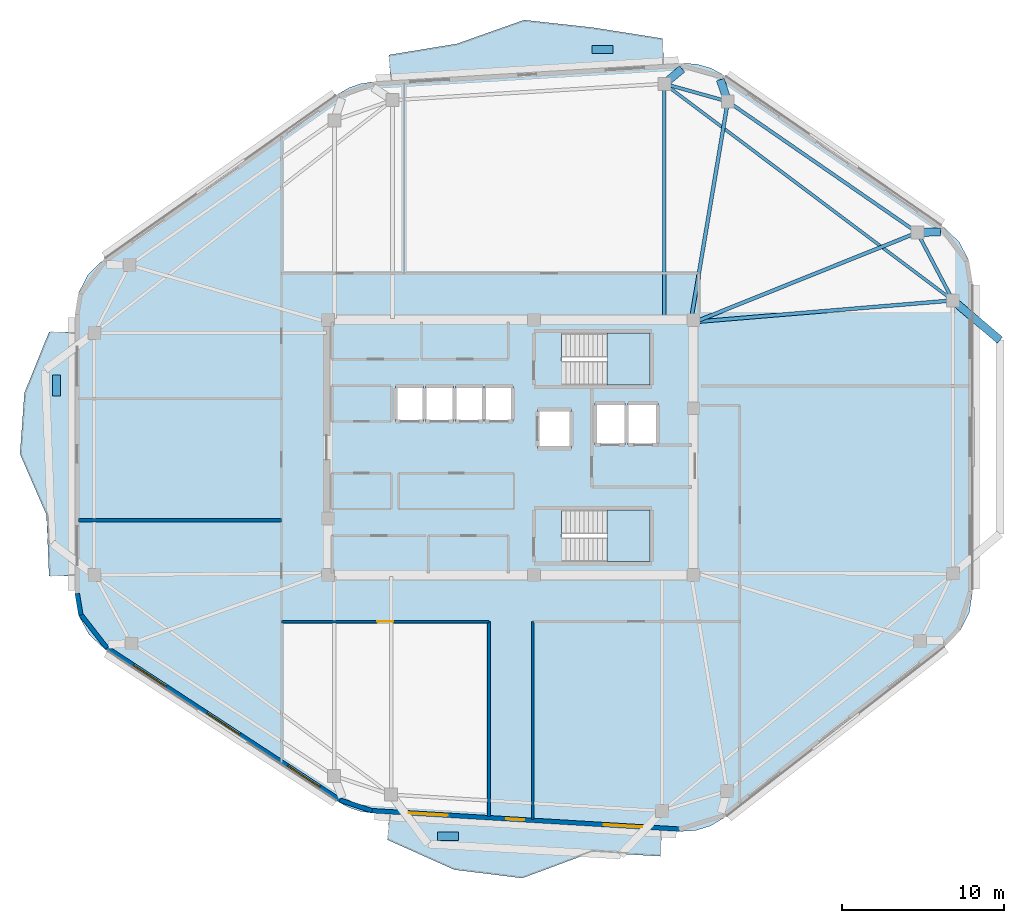
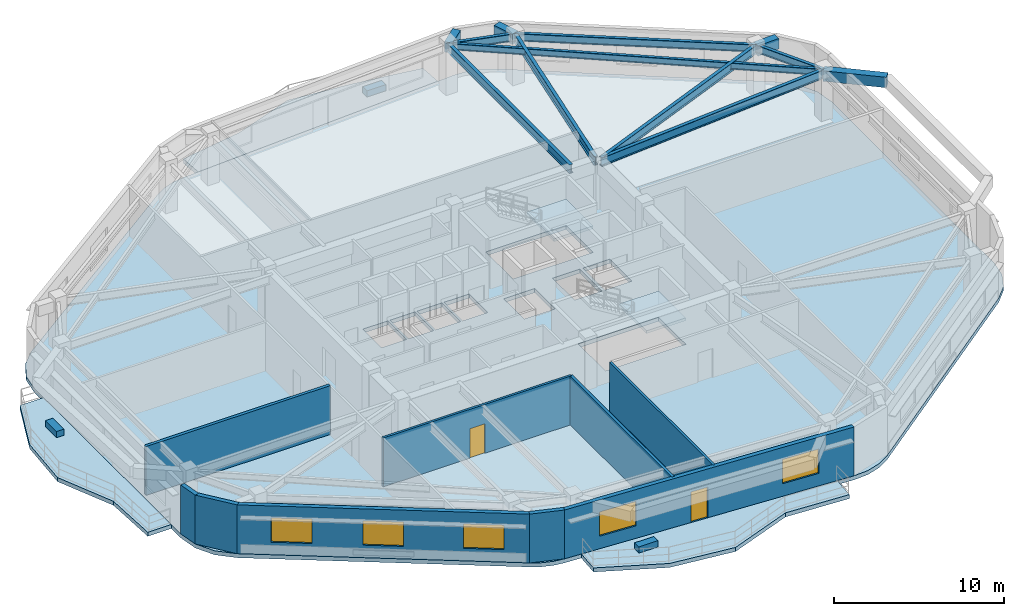
# One storey, part 2 of 9: 12 beams, 9 walls, 6 slabs, 5 windows, 3 plates, 2 doors, 7 openings, 2 elements without a shape of their own.
"""IFC4 building model written with IfcOpenShell, lengths in metres."""

from ifc_helpers import new_model, si_unit, direction, frame, frame_2d, origin, origin_2d, place, context, subcontext, project, spatial, polyline, rectangle, i_section, outline, extrude, material, layer, layer_set, material_profile, profile_set, type_object, element, fill, aggregate, save


model = new_model("IFC4")

# Units and contexts
model_context = context("Model", 3, precision=1e-05, world=origin(), true_north=direction((0.0, 1.0)))
body_context = subcontext(model_context, "Body", "Model", "MODEL_VIEW")
ifc_project = project(units=[si_unit("LENGTHUNIT", "METRE"), si_unit("AREAUNIT", "SQUARE_METRE"), si_unit("VOLUMEUNIT", "CUBIC_METRE"), si_unit("PLANEANGLEUNIT", "RADIAN"), si_unit("MASSUNIT", "GRAM", prefix="KILO")], contexts=[model_context])

# Site, building, storey
site_placement = place(None, origin())
site = spatial("IfcSite", under=ifc_project, at=site_placement, CompositionType="ELEMENT")
building_placement = place(site_placement, origin())
building = spatial("IfcBuilding", under=site, at=building_placement, Name="Zulverin Broadcast Headquarters", CompositionType="ELEMENT")
storey_placement = place(building_placement, frame((0.0, 0.0, 259.199951171875)))
storey = spatial("IfcBuildingStorey", under=building, at=storey_placement, Name="L66", CompositionType="ELEMENT", Elevation=259.199951171875)

# Beams
ifc_material_1 = material(Name="Concrete C40/50", Category="concrete")
ifc_material_profile_1 = material_profile(ifc_material_1, rectangle(XDim=0.5, YDim=0.75, at=origin_2d()), Name="Concrete C40/50", Category="concrete")
ifc_profile_set_1 = profile_set([ifc_material_profile_1], Name="Concrete C40/50")
beam_type_1 = type_object("IfcBeamType", Name="BM-RC-500x750", PredefinedType="BEAM", material=ifc_profile_set_1)
for number, where, z_axis, x_axis, name in (
    (1, (62.102783203125, 38.465087890625, 3.135009765625), (0.99949018153, 0.031927684309, 0.0), (-0.031927684309, 0.99949018153, 0.0), "L67 Plate Overhang Back-Spanned Beam OVR-07"),
    (2, (50.39794921875, 46.554443359375, 3.135009765625), (-0.323542873341, 0.946213511376, 0.0), (-0.946213511376, -0.323542873341, 0.0), "L67 Plate Overhang Back-Spanned Beam OVR-08"),
    (3, (46.4814453125, 47.6484375, 3.135009765625), (0.767058538949, 0.641577117598, 0.0), (-0.641577117598, 0.767058538949, 0.0), "L67 Plate Overhang Back-Spanned Beam OVR-09"),
):
    element("IfcBeam", number, at=place(storey_placement, frame(where, z_axis=z_axis, x_axis=x_axis)), inside=storey, type_object=beam_type_1, Name=name, PredefinedType="BEAM", context=body_context, shape_type="SweptSolid", body=[
        extrude(rectangle(XDim=0.5, YDim=0.75, at=origin_2d()), origin(), (0.0, 0.0, 1.0), 1.429931640625),
    ])
beam_1_placement = place(storey_placement, frame((64.300048828125, 34.275634765625, 3.135009765625), z_axis=(0.763327794612, -0.646011360561, 0.0), x_axis=(0.646011360561, 0.763327794612, 0.0)))
element("IfcBeam", 4, at=beam_1_placement, inside=storey, type_object=beam_type_1, Name="L67 Balcony Column-Framed Cantilever BAL_E-2", PredefinedType="BEAM", context=body_context, shape_type="SweptSolid", body=[
    extrude(rectangle(XDim=0.5, YDim=0.75, at=origin_2d()), origin(), (0.0, 0.0, 1.0), 3.800048828125),
])
ifc_material_2 = material(Name="Structural steel S355JR", Category="steel")
ifc_material_profile_2 = material_profile(ifc_material_2, i_section(OverallWidth=0.19287109375, OverallDepth=0.46728515625, WebThickness=0.011474609375, FlangeThickness=0.01953125, at=origin_2d()), Name="Structural steel S355JR", Category="steel")
ifc_profile_set_2 = profile_set([ifc_material_profile_2], Name="Structural steel S355JR")
beam_type_2 = type_object("IfcBeamType", Name="BM-UB-457", PredefinedType="JOIST", material=ifc_profile_set_2)
beam_2_placement = place(storey_placement, frame((64.300048828125, 34.275634765625, 3.2763671875), z_axis=(-0.799809280949, 0.600254207905, 0.0), x_axis=(-0.600254207905, -0.799809280949, 0.0)))
element("IfcBeam", 5, at=beam_2_placement, inside=storey, type_object=beam_type_2, Name="L66 Chordal Floor Joist J-02", PredefinedType="JOIST", context=body_context, shape_type="SweptSolid", body=[
    extrude(i_section(OverallWidth=0.19287109375, OverallDepth=0.46728515625, WebThickness=0.011474609375, FlangeThickness=0.01953125, at=origin_2d()), origin(), (0.0, 0.0, 1.0), 22.278564453125),
])
ifc_material_profile_3 = material_profile(ifc_material_2, i_section(OverallWidth=0.2119140625, OverallDepth=0.54443359375, WebThickness=0.0126953125, FlangeThickness=0.021240234375, at=origin_2d()), Name="Structural steel S355JR", Category="steel")
ifc_profile_set_3 = profile_set([ifc_material_profile_3], Name="Structural steel S355JR")
beam_type_3 = type_object("IfcBeamType", Name="BM-UB-533", PredefinedType="SPANDREL", material=ifc_profile_set_3)
beam_3_placement = place(storey_placement, frame((64.300048828125, 34.275634765625, 3.23779296875), z_axis=(-0.464469748171, 0.885588986513, 0.0), x_axis=(-0.885588986513, -0.464469748171, 0.0)))
element("IfcBeam", 6, at=beam_3_placement, inside=storey, type_object=beam_type_3, Name="L66 Perimeter Spandrel Beam SP-06", PredefinedType="SPANDREL", context=body_context, shape_type="SweptSolid", body=[
    extrude(i_section(OverallWidth=0.2119140625, OverallDepth=0.54443359375, WebThickness=0.0126953125, FlangeThickness=0.021240234375, at=origin_2d()), origin(), (0.0, 0.0, 1.0), 4.730712890625),
])
beam_4_placement = place(storey_placement, frame((62.102783203125, 38.465087890625, 3.23779296875), z_axis=(-0.822652126292, 0.568545054597, 0.0), x_axis=(-0.568545054597, -0.822652126292, 0.0)))
element("IfcBeam", 7, at=beam_4_placement, inside=storey, type_object=beam_type_3, Name="L66 Perimeter Spandrel Beam SP-07", PredefinedType="SPANDREL", context=body_context, shape_type="SweptSolid", body=[
    extrude(i_section(OverallWidth=0.2119140625, OverallDepth=0.54443359375, WebThickness=0.0126953125, FlangeThickness=0.021240234375, at=origin_2d()), origin(), (0.0, 0.0, 1.0), 14.228271484375),
])
beam_5_placement = place(storey_placement, frame((50.39794921875, 46.554443359375, 3.23779296875), z_axis=(-0.963131566005, 0.26903082828, 0.0), x_axis=(-0.26903082828, -0.963131566005, 0.0)))
element("IfcBeam", 8, at=beam_5_placement, inside=storey, type_object=beam_type_3, Name="L66 Perimeter Spandrel Beam SP-08", PredefinedType="SPANDREL", context=body_context, shape_type="SweptSolid", body=[
    extrude(i_section(OverallWidth=0.2119140625, OverallDepth=0.54443359375, WebThickness=0.0126953125, FlangeThickness=0.021240234375, at=origin_2d()), origin(), (0.0, 0.0, 1.0), 4.06640625),
])
ifc_material_profile_4 = material_profile(ifc_material_2, i_section(OverallWidth=0.230224609375, OverallDepth=0.6171875, WebThickness=0.01318359375, FlangeThickness=0.022216796875, at=origin_2d()), Name="Structural steel S355JR", Category="steel")
ifc_profile_set_4 = profile_set([ifc_material_profile_4], Name="Structural steel S355JR")
beam_type_4 = type_object("IfcBeamType", Name="BM-UB-610", PredefinedType="BEAM", material=ifc_profile_set_4)
beam_6_placement = place(storey_placement, frame((48.375, 32.949951171875, 3.201416015625), z_axis=(0.996553024533, 0.082958238256, 0.0), x_axis=(-0.082958238256, 0.996553024533, 0.0)))
element("IfcBeam", 9, at=beam_6_placement, inside=storey, type_object=beam_type_4, Name="L66 Radial Primary Floor Beam RB-06", PredefinedType="BEAM", context=body_context, shape_type="SweptSolid", body=[
    extrude(i_section(OverallWidth=0.230224609375, OverallDepth=0.6171875, WebThickness=0.01318359375, FlangeThickness=0.022216796875, at=origin_2d()), origin(), (0.0, 0.0, 1.0), 15.980224609375),
])
beam_7_placement = place(storey_placement, frame((48.375, 32.949951171875, 3.201416015625), z_axis=(0.927915690744, 0.37279011638, 0.0), x_axis=(-0.37279011638, 0.927915690744, 0.0)))
element("IfcBeam", 10, at=beam_7_placement, inside=storey, type_object=beam_type_4, Name="L66 Radial Primary Floor Beam RB-07", PredefinedType="BEAM", context=body_context, shape_type="SweptSolid", body=[
    extrude(i_section(OverallWidth=0.230224609375, OverallDepth=0.6171875, WebThickness=0.01318359375, FlangeThickness=0.022216796875, at=origin_2d()), origin(), (0.0, 0.0, 1.0), 14.794189453125),
])
beam_8_placement = place(storey_placement, frame((48.14990234375, 33.175048828125, 3.201416015625), z_axis=(0.165700339104, 0.986176149388, 0.0), x_axis=(-0.986176149388, 0.165700339104, 0.0)))
element("IfcBeam", 11, at=beam_8_placement, inside=storey, type_object=beam_type_4, Name="L66 Radial Primary Floor Beam RB-08", PredefinedType="BEAM", context=body_context, shape_type="SweptSolid", body=[
    extrude(i_section(OverallWidth=0.230224609375, OverallDepth=0.6171875, WebThickness=0.01318359375, FlangeThickness=0.022216796875, at=origin_2d()), origin(), (0.0, 0.0, 1.0), 13.56689453125),
])
beam_9_placement = place(storey_placement, frame((46.4814453125, 33.175048828125, 3.201416015625), z_axis=(0.0, 1.0, 0.0), x_axis=(-1.0, 0.0, 0.0)))
element("IfcBeam", 12, at=beam_9_placement, inside=storey, type_object=beam_type_4, Name="L66 Radial Primary Floor Beam RB-09", PredefinedType="BEAM", context=body_context, shape_type="SweptSolid", body=[
    extrude(i_section(OverallWidth=0.230224609375, OverallDepth=0.6171875, WebThickness=0.01318359375, FlangeThickness=0.022216796875, at=origin_2d()), origin(), (0.0, 0.0, 1.0), 14.473388671875),
])

# Plates
ifc_material_3 = material(Name="Precast concrete C45/55", Category="concrete")
ifc_layer_1 = layer(ifc_material_3, 0.449951171875, Name="Precast concrete C45/55", Category="concrete")
ifc_layer_set_1 = layer_set([ifc_layer_1], Name="Precast concrete C45/55")
plate_type = type_object("IfcPlateType", Name="PT-01_PRECAST_GFRC_TREE_PLANTER", PredefinedType="USERDEFINED", material=ifc_layer_set_1)
for number, where, z_axis, x_axis, name in (
    (13, (42.6767578125, 49.7744140625, -0.0048828125), (0.0, 0.0, 1.0), (1.0, 0.0, 0.0), "L66 Precast GFRC Tree Planter BAL_N"),
    (14, (8.949951171875, 29.0126953125, -0.0048828125), (0.0, 0.0, 1.0), (0.0, 1.0, 0.0), "L66 Precast GFRC Tree Planter BAL_W"),
    (15, (33.1337890625, 1.19873046875, -0.0048828125), (0.0, 0.0, 1.0), (1.0, 0.0, 0.0), "L66 Precast GFRC Tree Planter BAL_S"),
):
    element("IfcPlate", number, at=place(storey_placement, frame(where, z_axis=z_axis, x_axis=x_axis)), inside=storey, type_object=plate_type, Name=name, ObjectType="PLANTER", PredefinedType="USERDEFINED", context=body_context, shape_type="SweptSolid", body=[
        extrude(rectangle(XDim=1.300048828125, YDim=0.5, at=origin_2d()), origin(), (0.0, 0.0, 1.0), 0.449951171875),
    ])

# Slabs
ifc_layer_2 = layer(ifc_material_1, 0.2900390625, Name="Concrete C40/50", Category="concrete")
ifc_layer_set_2 = layer_set([ifc_layer_2], Name="Concrete C40/50")
slab_type_1 = type_object("IfcSlabType", Name="SLB-BAL-290", PredefinedType="FLOOR", material=ifc_layer_set_2)
slab_1_placement = place(storey_placement, frame((0.0, 0.0, -0.2900390625)))
element("IfcSlab", 16, at=slab_1_placement, inside=storey, type_object=slab_type_1, Name="L66 Cantilevered Planted Balcony Slab BAL_N", PredefinedType="FLOOR", context=body_context, shape_type="SweptSolid", body=[
    extrude(outline(polyline([(29.5791015625, 47.835693359375), (46.45947265625, 48.849365234375), (46.363525390625, 50.4462890625), (42.087890625, 51.118896484375), (37.824462890625, 51.58740234375), (33.677001953125, 50.1201171875), (29.483154296875, 49.43310546875), (29.5791015625, 47.835693359375)])), origin(), (0.0, 0.0, 1.0), 0.2900390625),
])
slab_2_placement = place(storey_placement, frame((0.0, 0.0, -0.2900390625)))
element("IfcSlab", 17, at=slab_2_placement, inside=storey, type_object=slab_type_1, Name="L66 Cantilevered Planted Balcony Slab BAL_W", PredefinedType="FLOOR", context=body_context, shape_type="SweptSolid", body=[
    extrude(outline(polyline([(10.10009765625, 17.2685546875), (10.10009765625, 32.3251953125), (8.5, 32.3251953125), (6.977783203125, 28.56103515625), (6.705322265625, 24.797119140625), (8.340576171875, 21.03271484375), (8.5, 17.2685546875), (10.10009765625, 17.2685546875)])), origin(), (0.0, 0.0, 1.0), 0.2900390625),
])
slab_3_placement = place(storey_placement, frame((0.0, 0.0, -0.2900390625)))
element("IfcSlab", 18, at=slab_3_placement, inside=storey, type_object=slab_type_1, Name="L66 Cantilevered Planted Balcony Slab BAL_S", PredefinedType="FLOOR", context=body_context, shape_type="SweptSolid", body=[
    extrude(outline(polyline([(46.32958984375, 1.55859375), (29.500244140625, 2.56884765625), (29.404296875, 0.9716796875), (33.516357421875, -0.8681640625), (37.707763671875, -1.388671875), (42.0263671875, 0.214111328125), (46.233642578125, -0.03857421875), (46.32958984375, 1.55859375)])), origin(), (0.0, 0.0, 1.0), 0.2900390625),
])

# Stair, slab
stair_type = type_object("IfcStairType", Name="ST-CORE-1500", PredefinedType="HALF_TURN_STAIR", material=ifc_material_1)
stair_1_placement = place(storey_placement, origin())
stair_1 = element("IfcStair", 19, at=stair_1_placement, inside=storey, type_object=stair_type, Name="L66 Core Exit Stair ST-1", PredefinedType="HALF_TURN_STAIR")
ifc_layer_3 = layer(ifc_material_1, 0.199951171875, Name="Concrete C40/50", Category="concrete")
ifc_layer_set_3 = layer_set([ifc_layer_3], Name="Concrete C40/50")
slab_type_2 = type_object("IfcSlabType", Name="SLB-ST-LND200", PredefinedType="LANDING", material=ifc_layer_set_3)
slab_4_placement = place(storey_placement, frame((0.0, 0.0, 1.699951171875)))
slab_4 = element("IfcSlab", 20, at=slab_4_placement, type_object=slab_type_2, Name="ST-1 landing 1", PredefinedType="LANDING", context=body_context, shape_type="SweptSolid", body=[
    extrude(outline(polyline([(42.929931640625, 29.050048828125), (45.60009765625, 29.050048828125), (45.60009765625, 32.25), (42.929931640625, 32.25), (42.929931640625, 29.050048828125)])), origin(), (0.0, 0.0, 1.0), 0.2001953125),
])
aggregate(stair_1, [slab_4])

stair_2_placement = place(storey_placement, origin())
stair_2 = element("IfcStair", 21, at=stair_2_placement, inside=storey, type_object=stair_type, Name="L66 Core Exit Stair ST-2", PredefinedType="HALF_TURN_STAIR")
slab_5_placement = place(storey_placement, frame((0.0, 0.0, 1.699951171875)))
slab_5 = element("IfcSlab", 22, at=slab_5_placement, type_object=slab_type_2, Name="ST-2 landing 1", PredefinedType="LANDING", context=body_context, shape_type="SweptSolid", body=[
    extrude(outline(polyline([(42.929931640625, 18.14990234375), (45.60009765625, 18.14990234375), (45.60009765625, 21.35009765625), (42.929931640625, 21.35009765625), (42.929931640625, 18.14990234375)])), origin(), (0.0, 0.0, 1.0), 0.2001953125),
])
aggregate(stair_2, [slab_5])

# Slab
ifc_layer_4 = layer(ifc_material_1, 0.2900390625, Name="Concrete C40/50", Category="concrete")
ifc_layer_set_4 = layer_set([ifc_layer_4], Name="Concrete C40/50")
slab_type_3 = type_object("IfcSlabType", Name="SLB-TWR-290", PredefinedType="FLOOR", material=ifc_layer_set_4)
slab_6_placement = place(storey_placement, frame((0.0, 0.0, -0.2900390625)))
element("IfcSlab", 23, at=slab_6_placement, inside=storey, type_object=slab_type_3, Name="L66 Main Structural Floor Slab", PredefinedType="FLOOR", context=body_context, shape_type="SweptSolid", body=[
    extrude(outline(polyline([(26.405029296875, 3.295166015625), (27.029296875, 2.96044921875), (27.70166015625, 2.738037109375), (28.402099609375, 2.634765625), (47.427490234375, 1.49267578125), (48.40869140625, 1.5517578125), (49.347412109375, 1.842529296875), (50.18994140625, 2.348388671875), (63.91650390625, 13.02099609375), (64.7685546875, 13.92041015625), (65.312744140625, 15.033203125), (65.5, 16.2578125), (65.5, 35.42578125), (65.289306640625, 36.723388671875), (64.6787109375, 37.887451171875), (63.73095703125, 38.798583984375), (50.13427734375, 48.1953125), (49.3359375, 48.625244140625), (48.462890625, 48.869140625), (47.557373046875, 48.915283203125), (28.48095703125, 47.77001953125), (27.73291015625, 47.655029296875), (27.0185546875, 47.404541015625), (26.362548828125, 47.027099609375), (11.8359375, 36.775146484375), (10.9052734375, 35.865478515625), (10.306396484375, 34.710205078125), (10.10009765625, 33.42529296875), (10.10009765625, 16.168701171875), (10.322021484375, 14.83740234375), (10.96435546875, 13.650390625), (11.957275390625, 12.736328125), (26.405029296875, 3.295166015625)]), holes=[polyline([(40.155029296875, 30.75), (40.130126953125, 30.75), (40.130126953125, 32.25), (45.60009765625, 32.25), (45.60009765625, 29.050048828125), (40.155029296875, 29.050048828125), (40.155029296875, 30.75)]), polyline([(40.155029296875, 19.85009765625), (40.130126953125, 19.85009765625), (40.130126953125, 21.35009765625), (45.60009765625, 21.35009765625), (45.60009765625, 18.14990234375), (40.155029296875, 18.14990234375), (40.155029296875, 19.85009765625)]), polyline([(29.89990234375, 26.800048828125), (31.6201171875, 26.800048828125), (31.6201171875, 29.0), (29.89990234375, 29.0), (29.89990234375, 26.800048828125)]), polyline([(31.739990234375, 26.800048828125), (33.4599609375, 26.800048828125), (33.4599609375, 29.0), (31.739990234375, 29.0), (31.739990234375, 26.800048828125)]), polyline([(33.580078125, 26.800048828125), (35.300048828125, 26.800048828125), (35.300048828125, 29.0), (33.580078125, 29.0), (33.580078125, 26.800048828125)]), polyline([(35.419921875, 26.800048828125), (37.139892578125, 26.800048828125), (37.139892578125, 29.0), (35.419921875, 29.0), (35.419921875, 26.800048828125)]), polyline([(42.199951171875, 25.35009765625), (44.050048828125, 25.35009765625), (44.050048828125, 27.949951171875), (42.199951171875, 27.949951171875), (42.199951171875, 25.35009765625)]), polyline([(44.25, 25.35009765625), (46.10009765625, 25.35009765625), (46.10009765625, 27.949951171875), (44.25, 27.949951171875), (44.25, 25.35009765625)]), polyline([(38.64990234375, 25.14990234375), (40.75, 25.14990234375), (40.75, 27.550048828125), (38.64990234375, 27.550048828125), (38.64990234375, 25.14990234375)])]), origin(), (0.0, 0.0, 1.0), 0.2900390625),
])

# Wall
ifc_material_4 = material(Name="Acoustic drywall steel stud", Category="steel")
ifc_layer_5 = layer(ifc_material_4, 0.199951171875, Name="Acoustic drywall steel stud", Category="steel")
ifc_layer_set_5 = layer_set([ifc_layer_5], Name="Acoustic drywall steel stud")
wall_type_1 = type_object("IfcWallType", Name="WL-ACOU-200", PredefinedType="PARTITIONING", material=ifc_layer_set_5)
wall_1_placement = place(storey_placement, frame((10.304931640625, 20.699951171875, 0.0), z_axis=(0.0, 0.0, 1.0), x_axis=(1.0, 0.0, 0.0)))
element("IfcWall", 24, at=wall_1_placement, inside=storey, type_object=wall_type_1, Name="L66 Room Partition Wall RP-09", PredefinedType="PARTITIONING", context=body_context, shape_type="SweptSolid", body=[
    extrude(rectangle(XDim=12.545166015625, YDim=0.199951171875, at=frame_2d((6.2724609375, 0.0))), origin(), (0.0, 0.0, 1.0), 3.510009765625),
])

# Wall, openings, door, windows
ifc_material_5 = material(Name="Insulated pale-metal clad concrete spandrel C40/50", Category="concrete")
ifc_layer_6 = layer(ifc_material_5, 0.280029296875, Name="Insulated pale-metal clad concrete spandrel C40/50", Category="concrete")
ifc_layer_set_6 = layer_set([ifc_layer_6], Name="Insulated pale-metal clad concrete spandrel C40/50")
wall_type_2 = type_object("IfcWallType", Name="WL-EXT-280", PredefinedType="STANDARD", material=ifc_layer_set_6)
wall_2_placement = place(storey_placement, frame((28.41064453125, 2.7744140625, 0.0), z_axis=(0.0, 0.0, 1.0), x_axis=(0.998203068368, -0.059921901676, 0.0)))
wall_2 = element("IfcWall", 25, at=wall_2_placement, inside=storey, type_object=wall_type_2, Name="L66 Pale-Metal Clad Spandrel Wall 1", PredefinedType="STANDARD", context=body_context, shape_type="SweptSolid", body=[
    extrude(rectangle(XDim=19.0595703125, YDim=0.280029296875, at=frame_2d((9.52978515625, 0.0))), origin(), (0.0, 0.0, 1.0), 3.510009765625),
])
opening_1_placement = place(wall_2_placement, frame((8.329833984375, 0.0, 0.0)))
opening_1 = element("IfcOpeningElement", 26, at=opening_1_placement, cuts=wall_2, Name="Opening D-L66-TR1", PredefinedType="OPENING", context=body_context, shape_type="SweptSolid", body=[
    extrude(rectangle(XDim=1.10009765625, YDim=2.199951171875, at=frame_2d((0.550048828125, 1.10009765625))), frame((0.0, 0.14990234375, 0.0), z_axis=(0.0, -1.0, 0.0), x_axis=(1.0, 0.0, 0.0)), (0.0, 0.0, 1.0), 0.300048828125),
])
opening_2_placement = place(wall_2_placement, frame((2.309814453125, 0.0, 0.89990234375)))
opening_2 = element("IfcOpeningElement", 27, at=opening_2_placement, cuts=wall_2, Name="Opening W-L66-E11", PredefinedType="OPENING", context=body_context, shape_type="SweptSolid", body=[
    extrude(rectangle(XDim=2.39990234375, YDim=1.75, at=frame_2d((1.199951171875, 0.875))), frame((0.0, 0.14990234375, 0.0), z_axis=(0.0, -1.0, 0.0), x_axis=(1.0, 0.0, 0.0)), (0.0, 0.0, 1.0), 0.300048828125),
])
opening_3_placement = place(wall_2_placement, frame((14.349609375, 0.0, 0.89990234375)))
opening_3 = element("IfcOpeningElement", 28, at=opening_3_placement, cuts=wall_2, Name="Opening W-L66-E12", PredefinedType="OPENING", context=body_context, shape_type="SweptSolid", body=[
    extrude(rectangle(XDim=2.39990234375, YDim=1.75, at=frame_2d((1.199951171875, 0.875))), frame((0.0, 0.14990234375, 0.0), z_axis=(0.0, -1.0, 0.0), x_axis=(1.0, 0.0, 0.0)), (0.0, 0.0, 1.0), 0.300048828125),
])
ifc_material_6 = material(Name="Thermally broken aluminium glazed", Category="aluminium")
door_type_1 = type_object("IfcDoorType", Name="DR-TERR-1100", OperationType="SINGLE_SWING_RIGHT", PredefinedType="DOOR", material=ifc_material_6)
door_1_placement = place(opening_1_placement, origin())
door_1 = element("IfcDoor", 29, at=door_1_placement, inside=storey, type_object=door_type_1, Name="L66 Planted Terrace Glazed Access Door 1", OperationType="SINGLE_SWING_RIGHT", OverallHeight=2.199951171875, OverallWidth=1.10009765625, PredefinedType="DOOR", context=body_context, shape_type="SweptSolid", body=[
    extrude(rectangle(XDim=1.10009765625, YDim=2.199951171875, at=frame_2d((0.550048828125, 1.10009765625))), frame((0.0, 0.02490234375, 0.0), z_axis=(0.0, -1.0, 0.0), x_axis=(1.0, 0.0, 0.0)), (0.0, 0.0, 1.0), 0.050048828125),
])
fill(opening_1, door_1)
ifc_material_7 = material(Name="Pale anodized aluminium frame with solar-control low-E double glazing", Category="aluminium")
window_type = type_object("IfcWindowType", Name="WIN-RIB-2400", PartitioningType="SINGLE_PANEL", PredefinedType="WINDOW", material=ifc_material_7)
window_1_placement = place(opening_2_placement, origin())
window_1 = element("IfcWindow", 30, at=window_1_placement, inside=storey, type_object=window_type, Name="L66 Ribbon Glazing Window 1 1", OverallHeight=1.75, OverallWidth=2.39990234375, PartitioningType="SINGLE_PANEL", PredefinedType="WINDOW", context=body_context, shape_type="SweptSolid", body=[
    extrude(rectangle(XDim=2.39990234375, YDim=1.75, at=frame_2d((1.199951171875, 0.875))), frame((0.0, 0.030029296875, 0.0), z_axis=(0.0, -1.0, 0.0), x_axis=(1.0, 0.0, 0.0)), (0.0, 0.0, 1.0), 0.06005859375),
])
fill(opening_2, window_1)
window_2_placement = place(opening_3_placement, origin())
window_2 = element("IfcWindow", 31, at=window_2_placement, inside=storey, type_object=window_type, Name="L66 Ribbon Glazing Window 1 2", OverallHeight=1.75, OverallWidth=2.39990234375, PartitioningType="SINGLE_PANEL", PredefinedType="WINDOW", context=body_context, shape_type="SweptSolid", body=[
    extrude(rectangle(XDim=2.39990234375, YDim=1.75, at=frame_2d((1.199951171875, 0.875))), frame((0.0, 0.030029296875, 0.0), z_axis=(0.0, -1.0, 0.0), x_axis=(1.0, 0.0, 0.0)), (0.0, 0.0, 1.0), 0.06005859375),
])
fill(opening_3, window_2)

# Wall, openings, windows
wall_3_placement = place(storey_placement, frame((12.03369140625, 12.853515625, 0.0), z_axis=(0.0, 0.0, 1.0), x_axis=(0.837118352984, -0.547021812269, 0.0)))
wall_3 = element("IfcWall", 32, at=wall_3_placement, inside=storey, type_object=wall_type_2, Name="L66 Pale-Metal Clad Spandrel Wall 8", PredefinedType="STANDARD", context=body_context, shape_type="SweptSolid", body=[
    extrude(rectangle(XDim=17.25927734375, YDim=0.280029296875, at=frame_2d((8.629638671875, 0.0))), origin(), (0.0, 0.0, 1.0), 3.510009765625),
])
opening_4_placement = place(wall_3_placement, frame((2.010009765625, 0.0, 0.89990234375)))
opening_4 = element("IfcOpeningElement", 33, at=opening_4_placement, cuts=wall_3, Name="Opening W-L66-E81", PredefinedType="OPENING", context=body_context, shape_type="SweptSolid", body=[
    extrude(rectangle(XDim=2.39990234375, YDim=1.75, at=frame_2d((1.199951171875, 0.875))), frame((0.0, 0.14990234375, 0.0), z_axis=(0.0, -1.0, 0.0), x_axis=(1.0, 0.0, 0.0)), (0.0, 0.0, 1.0), 0.300048828125),
])
opening_5_placement = place(wall_3_placement, frame((7.4296875, 0.0, 0.89990234375)))
opening_5 = element("IfcOpeningElement", 34, at=opening_5_placement, cuts=wall_3, Name="Opening W-L66-E82", PredefinedType="OPENING", context=body_context, shape_type="SweptSolid", body=[
    extrude(rectangle(XDim=2.39990234375, YDim=1.75, at=frame_2d((1.199951171875, 0.875))), frame((0.0, 0.14990234375, 0.0), z_axis=(0.0, -1.0, 0.0), x_axis=(1.0, 0.0, 0.0)), (0.0, 0.0, 1.0), 0.300048828125),
])
opening_6_placement = place(wall_3_placement, frame((13.349365234375, 0.0, 0.89990234375)))
opening_6 = element("IfcOpeningElement", 35, at=opening_6_placement, cuts=wall_3, Name="Opening W-L66-E83", PredefinedType="OPENING", context=body_context, shape_type="SweptSolid", body=[
    extrude(rectangle(XDim=2.39990234375, YDim=1.75, at=frame_2d((1.199951171875, 0.875))), frame((0.0, 0.14990234375, 0.0), z_axis=(0.0, -1.0, 0.0), x_axis=(1.0, 0.0, 0.0)), (0.0, 0.0, 1.0), 0.300048828125),
])
window_3_placement = place(opening_4_placement, origin())
window_3 = element("IfcWindow", 36, at=window_3_placement, inside=storey, type_object=window_type, Name="L66 Ribbon Glazing Window 8 1", OverallHeight=1.75, OverallWidth=2.39990234375, PartitioningType="SINGLE_PANEL", PredefinedType="WINDOW", context=body_context, shape_type="SweptSolid", body=[
    extrude(rectangle(XDim=2.39990234375, YDim=1.75, at=frame_2d((1.199951171875, 0.875))), frame((0.0, 0.030029296875, 0.0), z_axis=(0.0, -1.0, 0.0), x_axis=(1.0, 0.0, 0.0)), (0.0, 0.0, 1.0), 0.06005859375),
])
fill(opening_4, window_3)
window_4_placement = place(opening_5_placement, origin())
window_4 = element("IfcWindow", 37, at=window_4_placement, inside=storey, type_object=window_type, Name="L66 Ribbon Glazing Window 8 2", OverallHeight=1.75, OverallWidth=2.39990234375, PartitioningType="SINGLE_PANEL", PredefinedType="WINDOW", context=body_context, shape_type="SweptSolid", body=[
    extrude(rectangle(XDim=2.39990234375, YDim=1.75, at=frame_2d((1.199951171875, 0.875))), frame((0.0, 0.030029296875, 0.0), z_axis=(0.0, -1.0, 0.0), x_axis=(1.0, 0.0, 0.0)), (0.0, 0.0, 1.0), 0.06005859375),
])
fill(opening_5, window_4)
window_5_placement = place(opening_6_placement, origin())
window_5 = element("IfcWindow", 38, at=window_5_placement, inside=storey, type_object=window_type, Name="L66 Ribbon Glazing Window 8 3", OverallHeight=1.75, OverallWidth=2.39990234375, PartitioningType="SINGLE_PANEL", PredefinedType="WINDOW", context=body_context, shape_type="SweptSolid", body=[
    extrude(rectangle(XDim=2.39990234375, YDim=1.75, at=frame_2d((1.199951171875, 0.875))), frame((0.0, 0.030029296875, 0.0), z_axis=(0.0, -1.0, 0.0), x_axis=(1.0, 0.0, 0.0)), (0.0, 0.0, 1.0), 0.06005859375),
])
fill(opening_6, window_5)

# Walls
wall_4_placement = place(storey_placement, frame((10.238037109375, 16.191650390625, 0.0), z_axis=(0.0, 0.0, 1.0), x_axis=(0.164604311367, -0.986359681191, 0.0)))
element("IfcWall", 39, at=wall_4_placement, inside=storey, type_object=wall_type_2, Name="L66 Wind-Shaped Corner Spandrel Wall 7-1", PredefinedType="STANDARD", context=body_context, shape_type="SweptSolid", body=[
    extrude(rectangle(XDim=1.349609375, YDim=0.280029296875, at=frame_2d((0.6748046875, 0.0))), origin(), (0.0, 0.0, 1.0), 3.510009765625),
])
wall_5_placement = place(storey_placement, frame((10.4326171875, 14.92333984375, 0.0), z_axis=(0.0, 0.0, 1.0), x_axis=(0.614181852676, -0.78916452774, 0.0)))
element("IfcWall", 40, at=wall_5_placement, inside=storey, type_object=wall_type_2, Name="L66 Wind-Shaped Corner Spandrel Wall 7-2", PredefinedType="STANDARD", context=body_context, shape_type="SweptSolid", body=[
    extrude(rectangle(XDim=2.662109375, YDim=0.280029296875, at=frame_2d((1.3310546875, 0.0))), origin(), (0.0, 0.0, 1.0), 3.510009765625),
])
wall_6_placement = place(storey_placement, frame((26.44921875, 3.427978515625, 0.0), z_axis=(0.0, 0.0, 1.0), x_axis=(0.949435039229, -0.313963542923, 0.0)))
element("IfcWall", 41, at=wall_6_placement, inside=storey, type_object=wall_type_2, Name="L66 Wind-Shaped Corner Spandrel Wall 8-1", PredefinedType="STANDARD", context=body_context, shape_type="SweptSolid", body=[
    extrude(rectangle(XDim=2.103515625, YDim=0.280029296875, at=frame_2d((1.0517578125, 0.0))), origin(), (0.0, 0.0, 1.0), 3.510009765625),
])
ifc_material_8 = material(Name="Fire-rated gypsum stud partition", Category="gypsum")
ifc_layer_7 = layer(ifc_material_8, 0.14990234375, Name="Fire-rated gypsum stud partition", Category="gypsum")
ifc_layer_set_7 = layer_set([ifc_layer_7], Name="Fire-rated gypsum stud partition")
wall_type_3 = type_object("IfcWallType", Name="WL-PART-150", PredefinedType="PARTITIONING", material=ifc_layer_set_7)
wall_7_placement = place(storey_placement, frame((38.35009765625, 2.24267578125, 0.0), z_axis=(0.0, 0.0, 1.0), x_axis=(0.0, 1.0, 0.0)))
element("IfcWall", 42, at=wall_7_placement, inside=storey, type_object=wall_type_3, Name="L66 Gallery Partition Wall CG-03", PredefinedType="PARTITIONING", context=body_context, shape_type="SweptSolid", body=[
    extrude(rectangle(XDim=12.207275390625, YDim=0.14990234375, at=frame_2d((6.103515625, 0.0))), origin(), (0.0, 0.0, 1.0), 3.510009765625),
])

# Wall, opening, door
wall_8_placement = place(storey_placement, frame((22.85009765625, 14.449951171875, 0.0), z_axis=(0.0, 0.0, 1.0), x_axis=(1.0, 0.0, 0.0)))
wall_8 = element("IfcWall", 43, at=wall_8_placement, inside=storey, type_object=wall_type_3, Name="L66 Gallery Partition Wall CG-07", PredefinedType="PARTITIONING", context=body_context, shape_type="SweptSolid", body=[
    extrude(rectangle(XDim=12.7998046875, YDim=0.14990234375, at=frame_2d((6.39990234375, 0.0))), origin(), (0.0, 0.0, 1.0), 3.510009765625),
])
opening_7_placement = place(wall_8_placement, frame((5.89990234375, 0.0, 0.0)))
opening_7 = element("IfcOpeningElement", 44, at=opening_7_placement, cuts=wall_8, Name="Opening D-L66-03", PredefinedType="OPENING", context=body_context, shape_type="SweptSolid", body=[
    extrude(rectangle(XDim=1.0, YDim=2.1201171875, at=frame_2d((0.5, 1.06005859375))), frame((0.0, 0.0849609375, 0.0), z_axis=(0.0, -1.0, 0.0), x_axis=(1.0, 0.0, 0.0)), (0.0, 0.0, 1.0), 0.169921875),
])
ifc_material_9 = material(Name="Hardwood veneer acoustic leaf", Category="wood")
door_type_2 = type_object("IfcDoorType", Name="DR-OFF-1000", OperationType="SINGLE_SWING_LEFT", PredefinedType="DOOR", material=ifc_material_9)
door_2_placement = place(opening_7_placement, origin())
door_2 = element("IfcDoor", 45, at=door_2_placement, inside=storey, type_object=door_type_2, Name="L66 Open Strategy Workplace Door", OperationType="SINGLE_SWING_RIGHT", OverallHeight=2.1201171875, OverallWidth=1.0, PredefinedType="DOOR", context=body_context, shape_type="SweptSolid", body=[
    extrude(rectangle(XDim=1.0, YDim=2.1201171875, at=frame_2d((0.5, 1.06005859375))), frame((0.0, 0.02490234375, 0.0), z_axis=(0.0, -1.0, 0.0), x_axis=(1.0, 0.0, 0.0)), (0.0, 0.0, 1.0), 0.050048828125),
])
fill(opening_7, door_2)

# Wall
ifc_material_10 = material(Name="Fire-rated acoustic stud wall", Category="gypsum")
ifc_layer_8 = layer(ifc_material_10, 0.175048828125, Name="Fire-rated acoustic stud wall", Category="gypsum")
ifc_layer_set_8 = layer_set([ifc_layer_8], Name="Fire-rated acoustic stud wall")
wall_type_4 = type_object("IfcWallType", Name="WL-PART-175", PredefinedType="PARTITIONING", material=ifc_layer_set_8)
wall_9_placement = place(storey_placement, frame((35.64990234375, 2.40478515625, 0.0), z_axis=(0.0, 0.0, 1.0), x_axis=(0.0, 1.0, 0.0)))
element("IfcWall", 46, at=wall_9_placement, inside=storey, type_object=wall_type_4, Name="L66 Gallery Partition Wall CG-04", PredefinedType="PARTITIONING", context=body_context, shape_type="SweptSolid", body=[
    extrude(rectangle(XDim=12.045166015625, YDim=0.175048828125, at=frame_2d((6.0224609375, 0.0))), origin(), (0.0, 0.0, 1.0), 3.510009765625),
])

save(model, "model.ifc")
